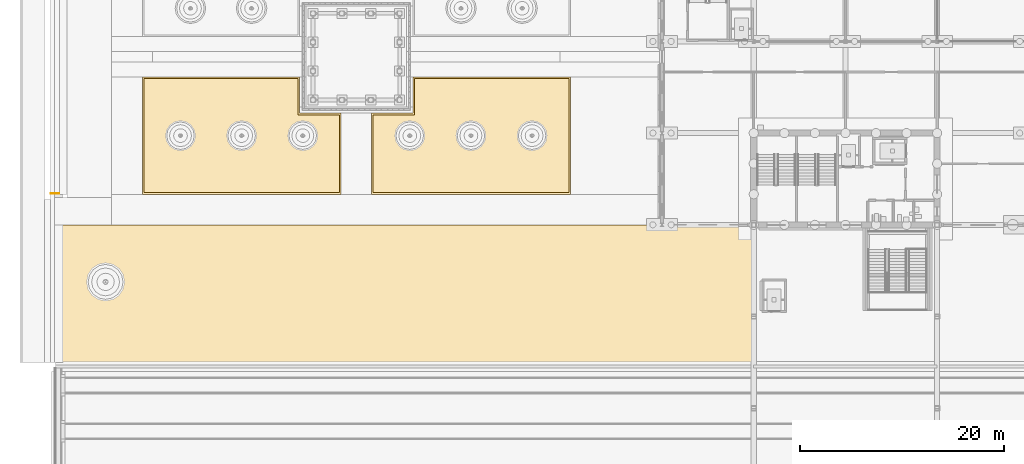
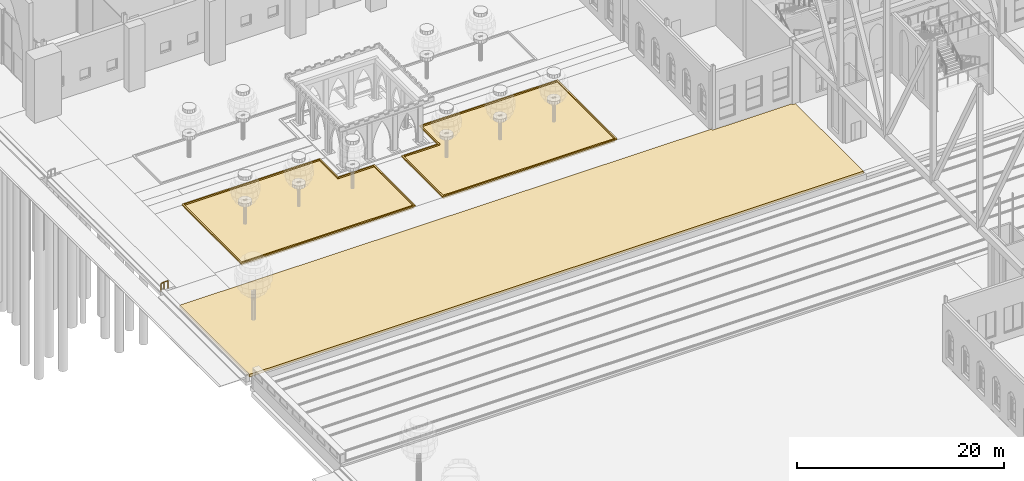
# One storey, part 179 of 250: 5 coverings, 1 railing.
"""IFC4 building model written with IfcOpenShell, lengths in metres."""

from ifc_helpers import new_model, si_unit, direction, frame, origin, origin_2d, place, context, subcontext, project, spatial, polyline, circle, outline, extrude, material, layer, layer_set, type_object, element, save


model = new_model("IFC4")

# Units and contexts
model_context = context("Model", 3, precision=1e-05, world=origin(), true_north=direction((0.0, 1.0)))
body_context = subcontext(model_context, "Body", "Model", "MODEL_VIEW")
ifc_project = project(units=[si_unit("LENGTHUNIT", "METRE"), si_unit("AREAUNIT", "SQUARE_METRE"), si_unit("VOLUMEUNIT", "CUBIC_METRE"), si_unit("PLANEANGLEUNIT", "RADIAN"), si_unit("MASSUNIT", "GRAM", prefix="KILO")], contexts=[model_context])

# Site, building, storey
site_placement = place(None, origin())
site = spatial("IfcSite", under=ifc_project, at=site_placement, CompositionType="ELEMENT")
building_placement = place(site_placement, origin())
building = spatial("IfcBuilding", under=site, at=building_placement, Name="Baradari Gate Terminus", CompositionType="ELEMENT")
storey_placement = place(building_placement, origin())
storey = spatial("IfcBuildingStorey", under=building, at=storey_placement, Name="L00", CompositionType="ELEMENT", Elevation=0.0)

# Coverings
ifc_material_1 = material(Name="Concrete kerb", Category="concrete")
ifc_layer_1 = layer(ifc_material_1, 0.14990234375)
ifc_layer_set_1 = layer_set([ifc_layer_1], Name="Concrete kerb")
covering_type_1 = type_object("IfcCoveringType", Name="Concrete kerb CK-1 150", PredefinedType="USERDEFINED", material=ifc_layer_set_1)
covering_1_placement = place(storey_placement, origin())
element("IfcCovering", 1, at=covering_1_placement, inside=storey, type_object=covering_type_1, Name="Kerb of West Court bed 1", ObjectType="KERB", PredefinedType="USERDEFINED", context=body_context, shape_type="SweptSolid", body=[
    extrude(outline(polyline([(27.449951171875, 95.5), (12.0, 95.5), (12.0, 84.0), (31.5, 84.0), (31.5, 91.949951171875), (27.449951171875, 91.949951171875), (27.449951171875, 95.5)]), holes=[polyline([(12.14990234375, 84.14990234375), (12.14990234375, 95.35009765625), (27.300048828125, 95.35009765625), (27.300048828125, 91.800048828125), (31.35009765625, 91.800048828125), (31.35009765625, 84.14990234375), (12.14990234375, 84.14990234375)])]), origin(), (0.0, 0.0, 1.0), 0.14990234375),
])
covering_2_placement = place(storey_placement, origin())
element("IfcCovering", 2, at=covering_2_placement, inside=storey, type_object=covering_type_1, Name="Kerb of West Court bed 3", ObjectType="KERB", PredefinedType="USERDEFINED", context=body_context, shape_type="SweptSolid", body=[
    extrude(outline(polyline([(38.550048828125, 91.949951171875), (34.5, 91.949951171875), (34.5, 84.0), (54.0, 84.0), (54.0, 95.5), (38.550048828125, 95.5), (38.550048828125, 91.949951171875)]), holes=[polyline([(34.64990234375, 84.14990234375), (34.64990234375, 91.800048828125), (38.699951171875, 91.800048828125), (38.699951171875, 95.35009765625), (53.85009765625, 95.35009765625), (53.85009765625, 84.14990234375), (34.64990234375, 84.14990234375)])]), origin(), (0.0, 0.0, 1.0), 0.14990234375),
])

# Railing
ifc_material_2 = material(Name="Stainless steel 1.4301", Category="steel")
railing_type = type_object("IfcRailingType", Name="Handrail HR-1 900", PredefinedType="HANDRAIL", material=ifc_material_2)
railing_placement = place(storey_placement, frame((3.050048828125, 84.06005859375, -0.11376953125)))
element("IfcRailing", 3, at=railing_placement, inside=storey, type_object=railing_type, Name="Handrail of West gate steps 1", PredefinedType="HANDRAIL", context=body_context, shape_type="SweptSolid", body=[
    extrude(circle(Radius=0.02392578125, at=origin_2d()), frame((0.0, 0.0, 0.8759765625), z_axis=(0.950980408871, 0.0, 0.309251130868), x_axis=(0.0, 1.0, 0.0)), (0.0, 0.0, 1.0), 0.367919921875),
    extrude(circle(Radius=0.02392578125, at=origin_2d()), frame((0.349853515625, 0.0, 0.98974609375), z_axis=(1.0, 0.0, 0.0), x_axis=(0.0, 1.0, 0.0)), (0.0, 0.0, 1.0), 0.4501953125),
    extrude(circle(Radius=0.02099609375, at=origin_2d()), origin(), (0.0, 0.0, 1.0), 0.851806640625),
    extrude(circle(Radius=0.02099609375, at=origin_2d()), frame((0.349853515625, 0.0, 0.11376953125)), (0.0, 0.0, 1.0), 0.851806640625),
    extrude(circle(Radius=0.02099609375, at=origin_2d()), frame((0.800048828125, 0.0, 0.11376953125)), (0.0, 0.0, 1.0), 0.851806640625),
])

# Coverings
ifc_material_3 = material(Name="Planted lawn")
ifc_layer_2 = layer(ifc_material_3, 0.300048828125)
ifc_layer_set_2 = layer_set([ifc_layer_2], Name="Planted lawn")
covering_type_2 = type_object("IfcCoveringType", Name="Planted lawn bed LW-1 300", PredefinedType="USERDEFINED", material=ifc_layer_set_2)
covering_3_placement = place(storey_placement, frame((0.0, 0.0, -0.300048828125)))
element("IfcCovering", 4, at=covering_3_placement, inside=storey, type_object=covering_type_2, Name="West Court lawn bed 1", ObjectType="LAWN", PredefinedType="USERDEFINED", context=body_context, shape_type="SweptSolid", body=[
    extrude(outline(polyline([(12.14990234375, 95.35009765625), (12.14990234375, 84.14990234375), (31.35009765625, 84.14990234375), (31.35009765625, 91.800048828125), (27.300048828125, 91.800048828125), (27.300048828125, 95.35009765625), (12.14990234375, 95.35009765625)])), origin(), (0.0, 0.0, 1.0), 0.300048828125),
])
covering_4_placement = place(storey_placement, frame((0.0, 0.0, -0.300048828125)))
element("IfcCovering", 5, at=covering_4_placement, inside=storey, type_object=covering_type_2, Name="West Court lawn bed 3", ObjectType="LAWN", PredefinedType="USERDEFINED", context=body_context, shape_type="SweptSolid", body=[
    extrude(outline(polyline([(34.64990234375, 91.800048828125), (34.64990234375, 84.14990234375), (53.85009765625, 84.14990234375), (53.85009765625, 95.35009765625), (38.699951171875, 95.35009765625), (38.699951171875, 91.800048828125), (34.64990234375, 91.800048828125)])), origin(), (0.0, 0.0, 1.0), 0.300048828125),
])
covering_5_placement = place(storey_placement, frame((0.0, 0.0, -0.300048828125)))
element("IfcCovering", 6, at=covering_5_placement, inside=storey, type_object=covering_type_2, Name="Planted lawn 13", ObjectType="LAWN", PredefinedType="USERDEFINED", context=body_context, shape_type="SweptSolid", body=[
    extrude(outline(polyline([(3.39990234375, 81.0), (3.39990234375, 67.5), (72.0, 67.5), (72.0, 80.669921875), (71.699951171875, 80.669921875), (71.697021484375, 80.670166015625), (71.694091796875, 80.670654296875), (71.69140625, 80.67138671875), (71.6884765625, 80.67236328125), (71.685791015625, 80.673583984375), (71.683349609375, 80.675048828125), (71.680908203125, 80.6767578125), (71.6787109375, 80.6787109375), (71.6767578125, 80.680908203125), (71.675048828125, 80.683349609375), (71.673583984375, 80.685791015625), (71.67236328125, 80.6884765625), (71.67138671875, 80.69140625), (71.670654296875, 80.694091796875), (71.670166015625, 80.697021484375), (71.669921875, 80.699951171875), (71.669921875, 80.794921875), (63.15380859375, 80.794921875), (63.15087890625, 80.795166015625), (63.14794921875, 80.795654296875), (63.14501953125, 80.79638671875), (63.142333984375, 80.79736328125), (63.1396484375, 80.798583984375), (63.136962890625, 80.800048828125), (63.134765625, 80.8017578125), (63.132568359375, 80.8037109375), (63.130615234375, 80.805908203125), (63.128662109375, 80.808349609375), (63.127197265625, 80.810791015625), (63.12646484375, 80.812744140625), (62.84619140625, 80.812744140625), (62.84326171875, 80.81298828125), (62.84033203125, 80.813232421875), (62.837646484375, 80.81396484375), (62.834716796875, 80.81494140625), (62.832275390625, 80.81640625), (62.82958984375, 80.81787109375), (62.8271484375, 80.819580078125), (62.8251953125, 80.821533203125), (62.822998046875, 80.82373046875), (62.8212890625, 80.826171875), (62.81982421875, 80.82861328125), (62.818603515625, 80.831298828125), (62.817626953125, 80.833984375), (62.81689453125, 80.8369140625), (62.81640625, 80.83984375), (62.81640625, 80.8427734375), (62.81640625, 81.0), (9.0, 81.0), (3.39990234375, 81.0)])), origin(), (0.0, 0.0, 1.0), 0.300048828125),
])

save(model, "model.ifc")
